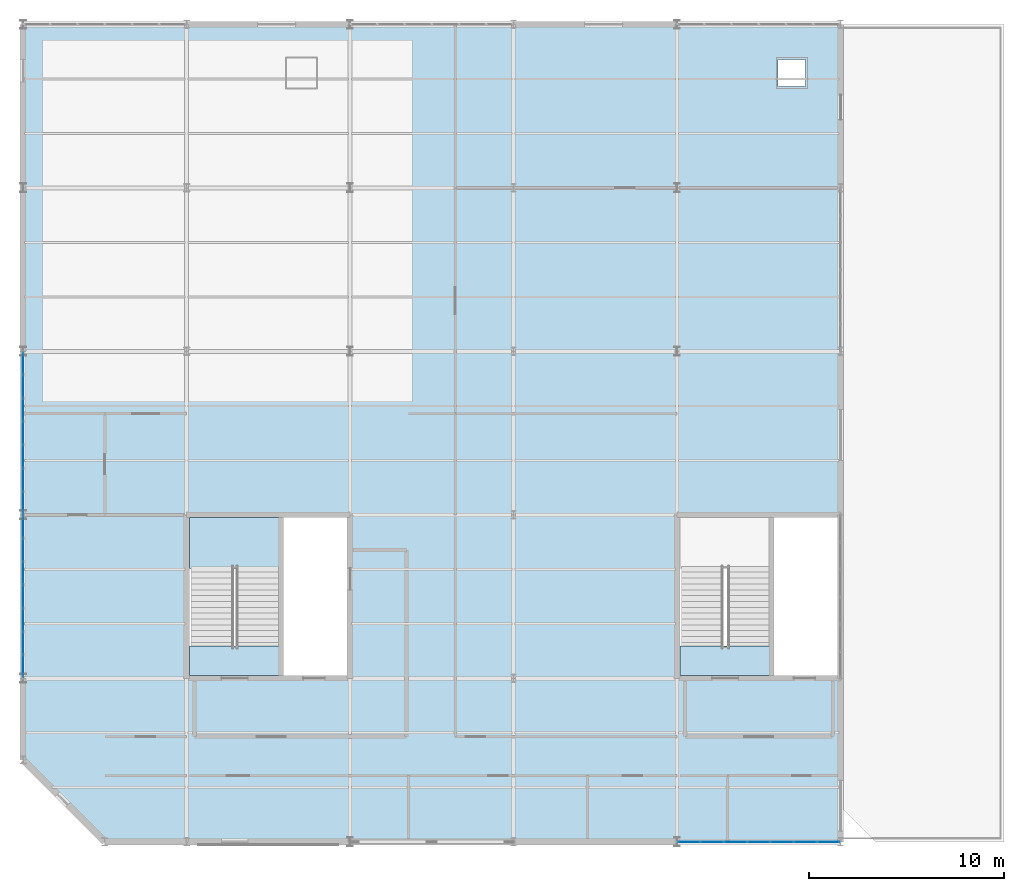
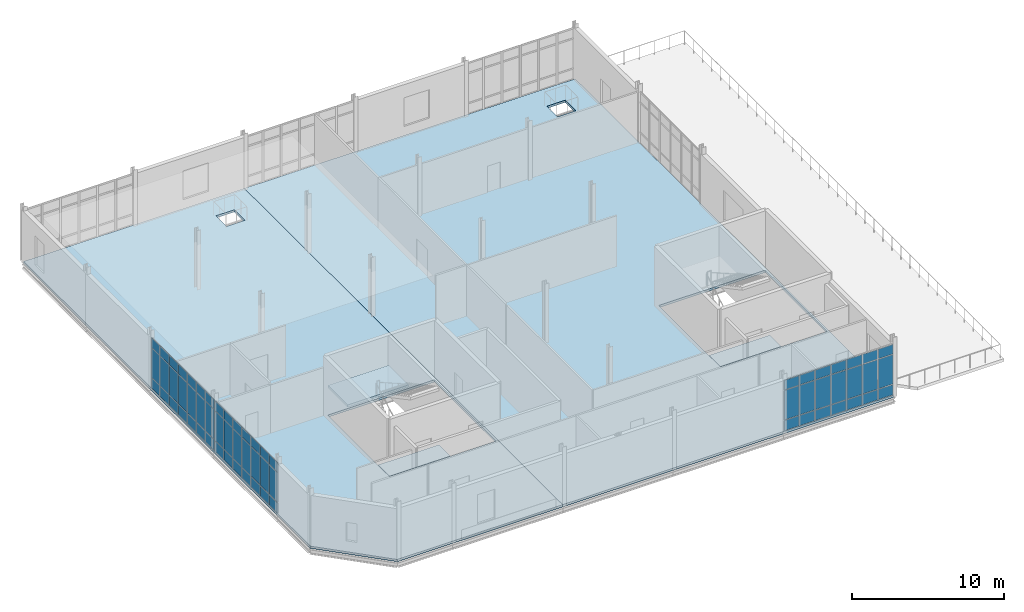
# One storey, part 21 of 28: 63 plates, 5 slabs, 4 elements without a shape of their own.
"""IFC4 building model written with IfcOpenShell, lengths in metres."""

from ifc_helpers import new_model, si_unit, direction, frame, origin, origin_2d, place, context, subcontext, project, spatial, polyline, rectangle, outline, extrude, material, layer, layer_set, type_object, element, aggregate, save


model = new_model("IFC4")

# Units and contexts
model_context = context("Model", 3, precision=1e-05, world=origin(), true_north=direction((0.0, 1.0)))
body_context = subcontext(model_context, "Body", "Model", "MODEL_VIEW")
ifc_project = project(units=[si_unit("LENGTHUNIT", "METRE"), si_unit("AREAUNIT", "SQUARE_METRE"), si_unit("VOLUMEUNIT", "CUBIC_METRE"), si_unit("PLANEANGLEUNIT", "RADIAN"), si_unit("MASSUNIT", "GRAM", prefix="KILO")], contexts=[model_context])

# Site, building, storey
site_placement = place(None, origin())
site = spatial("IfcSite", under=ifc_project, at=site_placement, CompositionType="ELEMENT")
building_placement = place(site_placement, origin())
building = spatial("IfcBuilding", under=site, at=building_placement, Name="Qalvenar Corner Mobility Hub", CompositionType="ELEMENT")
storey_placement = place(building_placement, frame((0.0, 0.0, 21.60009765625)))
storey = spatial("IfcBuildingStorey", under=building, at=storey_placement, Name="L05", CompositionType="ELEMENT", Elevation=21.60009765625)

# Curtain wall, plates
ifc_material_1 = material(Name="Anodised Aluminium and Low-E Glazing", Category="aluminium")
ifc_layer_1 = layer(ifc_material_1, 0.14990234375)
ifc_layer_set_1 = layer_set([ifc_layer_1], Name="Anodised Aluminium and Low-E Glazing")
curtain_wall_type_1 = type_object("IfcCurtainWallType", Name="CW-SPT-84X44", PredefinedType="NOTDEFINED", material=ifc_layer_set_1)
curtain_wall_1_placement = place(storey_placement, origin())
curtain_wall_1 = element("IfcCurtainWall", 1, at=curtain_wall_1_placement, inside=storey, type_object=curtain_wall_type_1, Name="Glazed Curtain Wall CW-V3-L05-S4", PredefinedType="NOTDEFINED")
ifc_material_2 = material(Name="Solar-Control Low-E Double Glazing", Category="glass")
ifc_layer_2 = layer(ifc_material_2, 0.028076171875)
ifc_layer_set_2 = layer_set([ifc_layer_2], Name="Solar-Control Low-E Double Glazing")
plate_type = type_object("IfcPlateType", Name="PLT-CWP-GLZ1", PredefinedType="CURTAIN_PANEL", material=ifc_layer_set_2)
plate_1_placement = place(storey_placement, frame((34.215087890625, 0.0, 0.054931640625), z_axis=(0.0, 0.0, 1.0), x_axis=(1.0, 0.0, 0.0)))
plate_1 = element("IfcPlate", 2, at=plate_1_placement, type_object=plate_type, Name="CW-06 panel 1.1", PredefinedType="CURTAIN_PANEL", context=body_context, shape_type="SweptSolid", body=[
    extrude(rectangle(XDim=1.110107421875, YDim=0.028076171875, at=origin_2d()), origin(), (0.0, 0.0, 1.0), 0.8173828125),
])
plate_2_placement = place(storey_placement, frame((34.215087890625, 0.0, 0.92724609375), z_axis=(0.0, 0.0, 1.0), x_axis=(1.0, 0.0, 0.0)))
plate_2 = element("IfcPlate", 3, at=plate_2_placement, type_object=plate_type, Name="CW-06 panel 1.2", PredefinedType="CURTAIN_PANEL", context=body_context, shape_type="SweptSolid", body=[
    extrude(rectangle(XDim=1.110107421875, YDim=0.028076171875, at=origin_2d()), origin(), (0.0, 0.0, 1.0), 2.364990234375),
])
plate_3_placement = place(storey_placement, frame((34.215087890625, 0.0, 3.347412109375), z_axis=(0.0, 0.0, 1.0), x_axis=(1.0, 0.0, 0.0)))
plate_3 = element("IfcPlate", 4, at=plate_3_placement, type_object=plate_type, Name="CW-06 panel 1.3", PredefinedType="CURTAIN_PANEL", context=body_context, shape_type="SweptSolid", body=[
    extrude(rectangle(XDim=1.110107421875, YDim=0.028076171875, at=origin_2d()), origin(), (0.0, 0.0, 1.0), 0.767578125),
])
plate_4_placement = place(storey_placement, frame((35.39990234375, 0.0, 0.054931640625), z_axis=(0.0, 0.0, 1.0), x_axis=(1.0, 0.0, 0.0)))
plate_4 = element("IfcPlate", 5, at=plate_4_placement, type_object=plate_type, Name="CW-06 panel 2.1", PredefinedType="CURTAIN_PANEL", context=body_context, shape_type="SweptSolid", body=[
    extrude(rectangle(XDim=1.139892578125, YDim=0.028076171875, at=origin_2d()), origin(), (0.0, 0.0, 1.0), 0.8173828125),
])
plate_5_placement = place(storey_placement, frame((35.39990234375, 0.0, 0.92724609375), z_axis=(0.0, 0.0, 1.0), x_axis=(1.0, 0.0, 0.0)))
plate_5 = element("IfcPlate", 6, at=plate_5_placement, type_object=plate_type, Name="CW-06 panel 2.2", PredefinedType="CURTAIN_PANEL", context=body_context, shape_type="SweptSolid", body=[
    extrude(rectangle(XDim=1.139892578125, YDim=0.028076171875, at=origin_2d()), origin(), (0.0, 0.0, 1.0), 2.364990234375),
])
plate_6_placement = place(storey_placement, frame((35.39990234375, 0.0, 3.347412109375), z_axis=(0.0, 0.0, 1.0), x_axis=(1.0, 0.0, 0.0)))
plate_6 = element("IfcPlate", 7, at=plate_6_placement, type_object=plate_type, Name="CW-06 panel 2.3", PredefinedType="CURTAIN_PANEL", context=body_context, shape_type="SweptSolid", body=[
    extrude(rectangle(XDim=1.139892578125, YDim=0.028076171875, at=origin_2d()), origin(), (0.0, 0.0, 1.0), 0.767578125),
])
plate_7_placement = place(storey_placement, frame((36.60009765625, 0.0, 0.054931640625), z_axis=(0.0, 0.0, 1.0), x_axis=(1.0, 0.0, 0.0)))
plate_7 = element("IfcPlate", 8, at=plate_7_placement, type_object=plate_type, Name="CW-06 panel 3.1", PredefinedType="CURTAIN_PANEL", context=body_context, shape_type="SweptSolid", body=[
    extrude(rectangle(XDim=1.139892578125, YDim=0.028076171875, at=origin_2d()), origin(), (0.0, 0.0, 1.0), 0.8173828125),
])
plate_8_placement = place(storey_placement, frame((36.60009765625, 0.0, 0.92724609375), z_axis=(0.0, 0.0, 1.0), x_axis=(1.0, 0.0, 0.0)))
plate_8 = element("IfcPlate", 9, at=plate_8_placement, type_object=plate_type, Name="CW-06 panel 3.2", PredefinedType="CURTAIN_PANEL", context=body_context, shape_type="SweptSolid", body=[
    extrude(rectangle(XDim=1.139892578125, YDim=0.028076171875, at=origin_2d()), origin(), (0.0, 0.0, 1.0), 2.364990234375),
])
plate_9_placement = place(storey_placement, frame((36.60009765625, 0.0, 3.347412109375), z_axis=(0.0, 0.0, 1.0), x_axis=(1.0, 0.0, 0.0)))
plate_9 = element("IfcPlate", 10, at=plate_9_placement, type_object=plate_type, Name="CW-06 panel 3.3", PredefinedType="CURTAIN_PANEL", context=body_context, shape_type="SweptSolid", body=[
    extrude(rectangle(XDim=1.139892578125, YDim=0.028076171875, at=origin_2d()), origin(), (0.0, 0.0, 1.0), 0.767578125),
])
plate_10_placement = place(storey_placement, frame((37.800048828125, 0.0, 0.054931640625), z_axis=(0.0, 0.0, 1.0), x_axis=(1.0, 0.0, 0.0)))
plate_10 = element("IfcPlate", 11, at=plate_10_placement, type_object=plate_type, Name="CW-06 panel 4.1", PredefinedType="CURTAIN_PANEL", context=body_context, shape_type="SweptSolid", body=[
    extrude(rectangle(XDim=1.139892578125, YDim=0.028076171875, at=origin_2d()), origin(), (0.0, 0.0, 1.0), 0.8173828125),
])
plate_11_placement = place(storey_placement, frame((37.800048828125, 0.0, 0.92724609375), z_axis=(0.0, 0.0, 1.0), x_axis=(1.0, 0.0, 0.0)))
plate_11 = element("IfcPlate", 12, at=plate_11_placement, type_object=plate_type, Name="CW-06 panel 4.2", PredefinedType="CURTAIN_PANEL", context=body_context, shape_type="SweptSolid", body=[
    extrude(rectangle(XDim=1.139892578125, YDim=0.028076171875, at=origin_2d()), origin(), (0.0, 0.0, 1.0), 2.364990234375),
])
plate_12_placement = place(storey_placement, frame((37.800048828125, 0.0, 3.347412109375), z_axis=(0.0, 0.0, 1.0), x_axis=(1.0, 0.0, 0.0)))
plate_12 = element("IfcPlate", 13, at=plate_12_placement, type_object=plate_type, Name="CW-06 panel 4.3", PredefinedType="CURTAIN_PANEL", context=body_context, shape_type="SweptSolid", body=[
    extrude(rectangle(XDim=1.139892578125, YDim=0.028076171875, at=origin_2d()), origin(), (0.0, 0.0, 1.0), 0.767578125),
])
plate_13_placement = place(storey_placement, frame((39.0, 0.0, 0.054931640625), z_axis=(0.0, 0.0, 1.0), x_axis=(1.0, 0.0, 0.0)))
plate_13 = element("IfcPlate", 14, at=plate_13_placement, type_object=plate_type, Name="CW-06 panel 5.1", PredefinedType="CURTAIN_PANEL", context=body_context, shape_type="SweptSolid", body=[
    extrude(rectangle(XDim=1.139892578125, YDim=0.028076171875, at=origin_2d()), origin(), (0.0, 0.0, 1.0), 0.8173828125),
])
plate_14_placement = place(storey_placement, frame((39.0, 0.0, 0.92724609375), z_axis=(0.0, 0.0, 1.0), x_axis=(1.0, 0.0, 0.0)))
plate_14 = element("IfcPlate", 15, at=plate_14_placement, type_object=plate_type, Name="CW-06 panel 5.2", PredefinedType="CURTAIN_PANEL", context=body_context, shape_type="SweptSolid", body=[
    extrude(rectangle(XDim=1.139892578125, YDim=0.028076171875, at=origin_2d()), origin(), (0.0, 0.0, 1.0), 2.364990234375),
])
plate_15_placement = place(storey_placement, frame((39.0, 0.0, 3.347412109375), z_axis=(0.0, 0.0, 1.0), x_axis=(1.0, 0.0, 0.0)))
plate_15 = element("IfcPlate", 16, at=plate_15_placement, type_object=plate_type, Name="CW-06 panel 5.3", PredefinedType="CURTAIN_PANEL", context=body_context, shape_type="SweptSolid", body=[
    extrude(rectangle(XDim=1.139892578125, YDim=0.028076171875, at=origin_2d()), origin(), (0.0, 0.0, 1.0), 0.767578125),
])
plate_16_placement = place(storey_placement, frame((40.199951171875, 0.0, 0.054931640625), z_axis=(0.0, 0.0, 1.0), x_axis=(1.0, 0.0, 0.0)))
plate_16 = element("IfcPlate", 17, at=plate_16_placement, type_object=plate_type, Name="CW-06 panel 6.1", PredefinedType="CURTAIN_PANEL", context=body_context, shape_type="SweptSolid", body=[
    extrude(rectangle(XDim=1.139892578125, YDim=0.028076171875, at=origin_2d()), origin(), (0.0, 0.0, 1.0), 0.8173828125),
])
plate_17_placement = place(storey_placement, frame((40.199951171875, 0.0, 0.92724609375), z_axis=(0.0, 0.0, 1.0), x_axis=(1.0, 0.0, 0.0)))
plate_17 = element("IfcPlate", 18, at=plate_17_placement, type_object=plate_type, Name="CW-06 panel 6.2", PredefinedType="CURTAIN_PANEL", context=body_context, shape_type="SweptSolid", body=[
    extrude(rectangle(XDim=1.139892578125, YDim=0.028076171875, at=origin_2d()), origin(), (0.0, 0.0, 1.0), 2.364990234375),
])
plate_18_placement = place(storey_placement, frame((40.199951171875, 0.0, 3.347412109375), z_axis=(0.0, 0.0, 1.0), x_axis=(1.0, 0.0, 0.0)))
plate_18 = element("IfcPlate", 19, at=plate_18_placement, type_object=plate_type, Name="CW-06 panel 6.3", PredefinedType="CURTAIN_PANEL", context=body_context, shape_type="SweptSolid", body=[
    extrude(rectangle(XDim=1.139892578125, YDim=0.028076171875, at=origin_2d()), origin(), (0.0, 0.0, 1.0), 0.767578125),
])
plate_19_placement = place(storey_placement, frame((41.385009765625, 0.0, 0.054931640625), z_axis=(0.0, 0.0, 1.0), x_axis=(1.0, 0.0, 0.0)))
plate_19 = element("IfcPlate", 20, at=plate_19_placement, type_object=plate_type, Name="CW-06 panel 7.1", PredefinedType="CURTAIN_PANEL", context=body_context, shape_type="SweptSolid", body=[
    extrude(rectangle(XDim=1.110107421875, YDim=0.028076171875, at=origin_2d()), origin(), (0.0, 0.0, 1.0), 0.8173828125),
])
plate_20_placement = place(storey_placement, frame((41.385009765625, 0.0, 0.92724609375), z_axis=(0.0, 0.0, 1.0), x_axis=(1.0, 0.0, 0.0)))
plate_20 = element("IfcPlate", 21, at=plate_20_placement, type_object=plate_type, Name="CW-06 panel 7.2", PredefinedType="CURTAIN_PANEL", context=body_context, shape_type="SweptSolid", body=[
    extrude(rectangle(XDim=1.110107421875, YDim=0.028076171875, at=origin_2d()), origin(), (0.0, 0.0, 1.0), 2.364990234375),
])
plate_21_placement = place(storey_placement, frame((41.385009765625, 0.0, 3.347412109375), z_axis=(0.0, 0.0, 1.0), x_axis=(1.0, 0.0, 0.0)))
plate_21 = element("IfcPlate", 22, at=plate_21_placement, type_object=plate_type, Name="CW-06 panel 7.3", PredefinedType="CURTAIN_PANEL", context=body_context, shape_type="SweptSolid", body=[
    extrude(rectangle(XDim=1.110107421875, YDim=0.028076171875, at=origin_2d()), origin(), (0.0, 0.0, 1.0), 0.767578125),
])
aggregate(curtain_wall_1, [plate_1, plate_2, plate_3, plate_4, plate_5, plate_6, plate_7, plate_8, plate_9, plate_10, plate_11, plate_12, plate_13, plate_14, plate_15, plate_16, plate_17, plate_18, plate_19, plate_20, plate_21])

ifc_layer_3 = layer(ifc_material_1, 0.14990234375)
ifc_layer_set_3 = layer_set([ifc_layer_3], Name="Anodised Aluminium and Low-E Glazing")
curtain_wall_type_2 = type_object("IfcCurtainWallType", Name="CW-CIV-84X40", PredefinedType="NOTDEFINED", material=ifc_layer_set_3)
curtain_wall_2_placement = place(storey_placement, origin())
curtain_wall_2 = element("IfcCurtainWall", 23, at=curtain_wall_2_placement, inside=storey, type_object=curtain_wall_type_2, Name="Glazed Curtain Wall CW-V3-L05-W1", PredefinedType="NOTDEFINED")
plate_22_placement = place(storey_placement, frame((0.0, 16.18505859375, 0.054931640625), z_axis=(0.0, 0.0, 1.0), x_axis=(0.0, -1.0, 0.0)))
plate_22 = element("IfcPlate", 24, at=plate_22_placement, type_object=plate_type, Name="CW-05 panel 1.1", PredefinedType="CURTAIN_PANEL", context=body_context, shape_type="SweptSolid", body=[
    extrude(rectangle(XDim=1.110107421875, YDim=0.028076171875, at=origin_2d()), origin(), (0.0, 0.0, 1.0), 0.8173828125),
])
plate_23_placement = place(storey_placement, frame((0.0, 16.18505859375, 0.92724609375), z_axis=(0.0, 0.0, 1.0), x_axis=(0.0, -1.0, 0.0)))
plate_23 = element("IfcPlate", 25, at=plate_23_placement, type_object=plate_type, Name="CW-05 panel 1.2", PredefinedType="CURTAIN_PANEL", context=body_context, shape_type="SweptSolid", body=[
    extrude(rectangle(XDim=1.110107421875, YDim=0.028076171875, at=origin_2d()), origin(), (0.0, 0.0, 1.0), 2.364990234375),
])
plate_24_placement = place(storey_placement, frame((0.0, 16.18505859375, 3.347412109375), z_axis=(0.0, 0.0, 1.0), x_axis=(0.0, -1.0, 0.0)))
plate_24 = element("IfcPlate", 26, at=plate_24_placement, type_object=plate_type, Name="CW-05 panel 1.3", PredefinedType="CURTAIN_PANEL", context=body_context, shape_type="SweptSolid", body=[
    extrude(rectangle(XDim=1.110107421875, YDim=0.028076171875, at=origin_2d()), origin(), (0.0, 0.0, 1.0), 0.767578125),
])
plate_25_placement = place(storey_placement, frame((0.0, 15.0, 0.054931640625), z_axis=(0.0, 0.0, 1.0), x_axis=(0.0, -1.0, 0.0)))
plate_25 = element("IfcPlate", 27, at=plate_25_placement, type_object=plate_type, Name="CW-05 panel 2.1", PredefinedType="CURTAIN_PANEL", context=body_context, shape_type="SweptSolid", body=[
    extrude(rectangle(XDim=1.139892578125, YDim=0.028076171875, at=origin_2d()), origin(), (0.0, 0.0, 1.0), 0.8173828125),
])
plate_26_placement = place(storey_placement, frame((0.0, 15.0, 0.92724609375), z_axis=(0.0, 0.0, 1.0), x_axis=(0.0, -1.0, 0.0)))
plate_26 = element("IfcPlate", 28, at=plate_26_placement, type_object=plate_type, Name="CW-05 panel 2.2", PredefinedType="CURTAIN_PANEL", context=body_context, shape_type="SweptSolid", body=[
    extrude(rectangle(XDim=1.139892578125, YDim=0.028076171875, at=origin_2d()), origin(), (0.0, 0.0, 1.0), 2.364990234375),
])
plate_27_placement = place(storey_placement, frame((0.0, 15.0, 3.347412109375), z_axis=(0.0, 0.0, 1.0), x_axis=(0.0, -1.0, 0.0)))
plate_27 = element("IfcPlate", 29, at=plate_27_placement, type_object=plate_type, Name="CW-05 panel 2.3", PredefinedType="CURTAIN_PANEL", context=body_context, shape_type="SweptSolid", body=[
    extrude(rectangle(XDim=1.139892578125, YDim=0.028076171875, at=origin_2d()), origin(), (0.0, 0.0, 1.0), 0.767578125),
])
plate_28_placement = place(storey_placement, frame((0.0, 13.800048828125, 0.054931640625), z_axis=(0.0, 0.0, 1.0), x_axis=(0.0, -1.0, 0.0)))
plate_28 = element("IfcPlate", 30, at=plate_28_placement, type_object=plate_type, Name="CW-05 panel 3.1", PredefinedType="CURTAIN_PANEL", context=body_context, shape_type="SweptSolid", body=[
    extrude(rectangle(XDim=1.139892578125, YDim=0.028076171875, at=origin_2d()), origin(), (0.0, 0.0, 1.0), 0.8173828125),
])
plate_29_placement = place(storey_placement, frame((0.0, 13.800048828125, 0.92724609375), z_axis=(0.0, 0.0, 1.0), x_axis=(0.0, -1.0, 0.0)))
plate_29 = element("IfcPlate", 31, at=plate_29_placement, type_object=plate_type, Name="CW-05 panel 3.2", PredefinedType="CURTAIN_PANEL", context=body_context, shape_type="SweptSolid", body=[
    extrude(rectangle(XDim=1.139892578125, YDim=0.028076171875, at=origin_2d()), origin(), (0.0, 0.0, 1.0), 2.364990234375),
])
plate_30_placement = place(storey_placement, frame((0.0, 13.800048828125, 3.347412109375), z_axis=(0.0, 0.0, 1.0), x_axis=(0.0, -1.0, 0.0)))
plate_30 = element("IfcPlate", 32, at=plate_30_placement, type_object=plate_type, Name="CW-05 panel 3.3", PredefinedType="CURTAIN_PANEL", context=body_context, shape_type="SweptSolid", body=[
    extrude(rectangle(XDim=1.139892578125, YDim=0.028076171875, at=origin_2d()), origin(), (0.0, 0.0, 1.0), 0.767578125),
])
plate_31_placement = place(storey_placement, frame((0.0, 12.60009765625, 0.054931640625), z_axis=(0.0, 0.0, 1.0), x_axis=(0.0, -1.0, 0.0)))
plate_31 = element("IfcPlate", 33, at=plate_31_placement, type_object=plate_type, Name="CW-05 panel 4.1", PredefinedType="CURTAIN_PANEL", context=body_context, shape_type="SweptSolid", body=[
    extrude(rectangle(XDim=1.139892578125, YDim=0.028076171875, at=origin_2d()), origin(), (0.0, 0.0, 1.0), 0.8173828125),
])
plate_32_placement = place(storey_placement, frame((0.0, 12.60009765625, 0.92724609375), z_axis=(0.0, 0.0, 1.0), x_axis=(0.0, -1.0, 0.0)))
plate_32 = element("IfcPlate", 34, at=plate_32_placement, type_object=plate_type, Name="CW-05 panel 4.2", PredefinedType="CURTAIN_PANEL", context=body_context, shape_type="SweptSolid", body=[
    extrude(rectangle(XDim=1.139892578125, YDim=0.028076171875, at=origin_2d()), origin(), (0.0, 0.0, 1.0), 2.364990234375),
])
plate_33_placement = place(storey_placement, frame((0.0, 12.60009765625, 3.347412109375), z_axis=(0.0, 0.0, 1.0), x_axis=(0.0, -1.0, 0.0)))
plate_33 = element("IfcPlate", 35, at=plate_33_placement, type_object=plate_type, Name="CW-05 panel 4.3", PredefinedType="CURTAIN_PANEL", context=body_context, shape_type="SweptSolid", body=[
    extrude(rectangle(XDim=1.139892578125, YDim=0.028076171875, at=origin_2d()), origin(), (0.0, 0.0, 1.0), 0.767578125),
])
plate_34_placement = place(storey_placement, frame((0.0, 11.39990234375, 0.054931640625), z_axis=(0.0, 0.0, 1.0), x_axis=(0.0, -1.0, 0.0)))
plate_34 = element("IfcPlate", 36, at=plate_34_placement, type_object=plate_type, Name="CW-05 panel 5.1", PredefinedType="CURTAIN_PANEL", context=body_context, shape_type="SweptSolid", body=[
    extrude(rectangle(XDim=1.139892578125, YDim=0.028076171875, at=origin_2d()), origin(), (0.0, 0.0, 1.0), 0.8173828125),
])
plate_35_placement = place(storey_placement, frame((0.0, 11.39990234375, 0.92724609375), z_axis=(0.0, 0.0, 1.0), x_axis=(0.0, -1.0, 0.0)))
plate_35 = element("IfcPlate", 37, at=plate_35_placement, type_object=plate_type, Name="CW-05 panel 5.2", PredefinedType="CURTAIN_PANEL", context=body_context, shape_type="SweptSolid", body=[
    extrude(rectangle(XDim=1.139892578125, YDim=0.028076171875, at=origin_2d()), origin(), (0.0, 0.0, 1.0), 2.364990234375),
])
plate_36_placement = place(storey_placement, frame((0.0, 11.39990234375, 3.347412109375), z_axis=(0.0, 0.0, 1.0), x_axis=(0.0, -1.0, 0.0)))
plate_36 = element("IfcPlate", 38, at=plate_36_placement, type_object=plate_type, Name="CW-05 panel 5.3", PredefinedType="CURTAIN_PANEL", context=body_context, shape_type="SweptSolid", body=[
    extrude(rectangle(XDim=1.139892578125, YDim=0.028076171875, at=origin_2d()), origin(), (0.0, 0.0, 1.0), 0.767578125),
])
plate_37_placement = place(storey_placement, frame((0.0, 10.199951171875, 0.054931640625), z_axis=(0.0, 0.0, 1.0), x_axis=(0.0, -1.0, 0.0)))
plate_37 = element("IfcPlate", 39, at=plate_37_placement, type_object=plate_type, Name="CW-05 panel 6.1", PredefinedType="CURTAIN_PANEL", context=body_context, shape_type="SweptSolid", body=[
    extrude(rectangle(XDim=1.139892578125, YDim=0.028076171875, at=origin_2d()), origin(), (0.0, 0.0, 1.0), 0.8173828125),
])
plate_38_placement = place(storey_placement, frame((0.0, 10.199951171875, 0.92724609375), z_axis=(0.0, 0.0, 1.0), x_axis=(0.0, -1.0, 0.0)))
plate_38 = element("IfcPlate", 40, at=plate_38_placement, type_object=plate_type, Name="CW-05 panel 6.2", PredefinedType="CURTAIN_PANEL", context=body_context, shape_type="SweptSolid", body=[
    extrude(rectangle(XDim=1.139892578125, YDim=0.028076171875, at=origin_2d()), origin(), (0.0, 0.0, 1.0), 2.364990234375),
])
plate_39_placement = place(storey_placement, frame((0.0, 10.199951171875, 3.347412109375), z_axis=(0.0, 0.0, 1.0), x_axis=(0.0, -1.0, 0.0)))
plate_39 = element("IfcPlate", 41, at=plate_39_placement, type_object=plate_type, Name="CW-05 panel 6.3", PredefinedType="CURTAIN_PANEL", context=body_context, shape_type="SweptSolid", body=[
    extrude(rectangle(XDim=1.139892578125, YDim=0.028076171875, at=origin_2d()), origin(), (0.0, 0.0, 1.0), 0.767578125),
])
plate_40_placement = place(storey_placement, frame((0.0, 9.014892578125, 0.054931640625), z_axis=(0.0, 0.0, 1.0), x_axis=(0.0, -1.0, 0.0)))
plate_40 = element("IfcPlate", 42, at=plate_40_placement, type_object=plate_type, Name="CW-05 panel 7.1", PredefinedType="CURTAIN_PANEL", context=body_context, shape_type="SweptSolid", body=[
    extrude(rectangle(XDim=1.110107421875, YDim=0.028076171875, at=origin_2d()), origin(), (0.0, 0.0, 1.0), 0.8173828125),
])
plate_41_placement = place(storey_placement, frame((0.0, 9.014892578125, 0.92724609375), z_axis=(0.0, 0.0, 1.0), x_axis=(0.0, -1.0, 0.0)))
plate_41 = element("IfcPlate", 43, at=plate_41_placement, type_object=plate_type, Name="CW-05 panel 7.2", PredefinedType="CURTAIN_PANEL", context=body_context, shape_type="SweptSolid", body=[
    extrude(rectangle(XDim=1.110107421875, YDim=0.028076171875, at=origin_2d()), origin(), (0.0, 0.0, 1.0), 2.364990234375),
])
plate_42_placement = place(storey_placement, frame((0.0, 9.014892578125, 3.347412109375), z_axis=(0.0, 0.0, 1.0), x_axis=(0.0, -1.0, 0.0)))
plate_42 = element("IfcPlate", 44, at=plate_42_placement, type_object=plate_type, Name="CW-05 panel 7.3", PredefinedType="CURTAIN_PANEL", context=body_context, shape_type="SweptSolid", body=[
    extrude(rectangle(XDim=1.110107421875, YDim=0.028076171875, at=origin_2d()), origin(), (0.0, 0.0, 1.0), 0.767578125),
])
aggregate(curtain_wall_2, [plate_22, plate_23, plate_24, plate_25, plate_26, plate_27, plate_28, plate_29, plate_30, plate_31, plate_32, plate_33, plate_34, plate_35, plate_36, plate_37, plate_38, plate_39, plate_40, plate_41, plate_42])

curtain_wall_3_placement = place(storey_placement, origin())
curtain_wall_3 = element("IfcCurtainWall", 45, at=curtain_wall_3_placement, inside=storey, type_object=curtain_wall_type_2, Name="Glazed Curtain Wall CW-V3-L05-W2", PredefinedType="NOTDEFINED")
plate_43_placement = place(storey_placement, frame((0.0, 24.5849609375, 0.054931640625), z_axis=(0.0, 0.0, 1.0), x_axis=(0.0, -1.0, 0.0)))
plate_43 = element("IfcPlate", 46, at=plate_43_placement, type_object=plate_type, Name="CW-05 panel 1.1", PredefinedType="CURTAIN_PANEL", context=body_context, shape_type="SweptSolid", body=[
    extrude(rectangle(XDim=1.110107421875, YDim=0.028076171875, at=origin_2d()), origin(), (0.0, 0.0, 1.0), 0.8173828125),
])
plate_44_placement = place(storey_placement, frame((0.0, 24.5849609375, 0.92724609375), z_axis=(0.0, 0.0, 1.0), x_axis=(0.0, -1.0, 0.0)))
plate_44 = element("IfcPlate", 47, at=plate_44_placement, type_object=plate_type, Name="CW-05 panel 1.2", PredefinedType="CURTAIN_PANEL", context=body_context, shape_type="SweptSolid", body=[
    extrude(rectangle(XDim=1.110107421875, YDim=0.028076171875, at=origin_2d()), origin(), (0.0, 0.0, 1.0), 2.364990234375),
])
plate_45_placement = place(storey_placement, frame((0.0, 24.5849609375, 3.347412109375), z_axis=(0.0, 0.0, 1.0), x_axis=(0.0, -1.0, 0.0)))
plate_45 = element("IfcPlate", 48, at=plate_45_placement, type_object=plate_type, Name="CW-05 panel 1.3", PredefinedType="CURTAIN_PANEL", context=body_context, shape_type="SweptSolid", body=[
    extrude(rectangle(XDim=1.110107421875, YDim=0.028076171875, at=origin_2d()), origin(), (0.0, 0.0, 1.0), 0.767578125),
])
plate_46_placement = place(storey_placement, frame((0.0, 23.39990234375, 0.054931640625), z_axis=(0.0, 0.0, 1.0), x_axis=(0.0, -1.0, 0.0)))
plate_46 = element("IfcPlate", 49, at=plate_46_placement, type_object=plate_type, Name="CW-05 panel 2.1", PredefinedType="CURTAIN_PANEL", context=body_context, shape_type="SweptSolid", body=[
    extrude(rectangle(XDim=1.139892578125, YDim=0.028076171875, at=origin_2d()), origin(), (0.0, 0.0, 1.0), 0.8173828125),
])
plate_47_placement = place(storey_placement, frame((0.0, 23.39990234375, 0.92724609375), z_axis=(0.0, 0.0, 1.0), x_axis=(0.0, -1.0, 0.0)))
plate_47 = element("IfcPlate", 50, at=plate_47_placement, type_object=plate_type, Name="CW-05 panel 2.2", PredefinedType="CURTAIN_PANEL", context=body_context, shape_type="SweptSolid", body=[
    extrude(rectangle(XDim=1.139892578125, YDim=0.028076171875, at=origin_2d()), origin(), (0.0, 0.0, 1.0), 2.364990234375),
])
plate_48_placement = place(storey_placement, frame((0.0, 23.39990234375, 3.347412109375), z_axis=(0.0, 0.0, 1.0), x_axis=(0.0, -1.0, 0.0)))
plate_48 = element("IfcPlate", 51, at=plate_48_placement, type_object=plate_type, Name="CW-05 panel 2.3", PredefinedType="CURTAIN_PANEL", context=body_context, shape_type="SweptSolid", body=[
    extrude(rectangle(XDim=1.139892578125, YDim=0.028076171875, at=origin_2d()), origin(), (0.0, 0.0, 1.0), 0.767578125),
])
plate_49_placement = place(storey_placement, frame((0.0, 22.199951171875, 0.054931640625), z_axis=(0.0, 0.0, 1.0), x_axis=(0.0, -1.0, 0.0)))
plate_49 = element("IfcPlate", 52, at=plate_49_placement, type_object=plate_type, Name="CW-05 panel 3.1", PredefinedType="CURTAIN_PANEL", context=body_context, shape_type="SweptSolid", body=[
    extrude(rectangle(XDim=1.139892578125, YDim=0.028076171875, at=origin_2d()), origin(), (0.0, 0.0, 1.0), 0.8173828125),
])
plate_50_placement = place(storey_placement, frame((0.0, 22.199951171875, 0.92724609375), z_axis=(0.0, 0.0, 1.0), x_axis=(0.0, -1.0, 0.0)))
plate_50 = element("IfcPlate", 53, at=plate_50_placement, type_object=plate_type, Name="CW-05 panel 3.2", PredefinedType="CURTAIN_PANEL", context=body_context, shape_type="SweptSolid", body=[
    extrude(rectangle(XDim=1.139892578125, YDim=0.028076171875, at=origin_2d()), origin(), (0.0, 0.0, 1.0), 2.364990234375),
])
plate_51_placement = place(storey_placement, frame((0.0, 22.199951171875, 3.347412109375), z_axis=(0.0, 0.0, 1.0), x_axis=(0.0, -1.0, 0.0)))
plate_51 = element("IfcPlate", 54, at=plate_51_placement, type_object=plate_type, Name="CW-05 panel 3.3", PredefinedType="CURTAIN_PANEL", context=body_context, shape_type="SweptSolid", body=[
    extrude(rectangle(XDim=1.139892578125, YDim=0.028076171875, at=origin_2d()), origin(), (0.0, 0.0, 1.0), 0.767578125),
])
plate_52_placement = place(storey_placement, frame((0.0, 21.0, 0.054931640625), z_axis=(0.0, 0.0, 1.0), x_axis=(0.0, -1.0, 0.0)))
plate_52 = element("IfcPlate", 55, at=plate_52_placement, type_object=plate_type, Name="CW-05 panel 4.1", PredefinedType="CURTAIN_PANEL", context=body_context, shape_type="SweptSolid", body=[
    extrude(rectangle(XDim=1.139892578125, YDim=0.028076171875, at=origin_2d()), origin(), (0.0, 0.0, 1.0), 0.8173828125),
])
plate_53_placement = place(storey_placement, frame((0.0, 21.0, 0.92724609375), z_axis=(0.0, 0.0, 1.0), x_axis=(0.0, -1.0, 0.0)))
plate_53 = element("IfcPlate", 56, at=plate_53_placement, type_object=plate_type, Name="CW-05 panel 4.2", PredefinedType="CURTAIN_PANEL", context=body_context, shape_type="SweptSolid", body=[
    extrude(rectangle(XDim=1.139892578125, YDim=0.028076171875, at=origin_2d()), origin(), (0.0, 0.0, 1.0), 2.364990234375),
])
plate_54_placement = place(storey_placement, frame((0.0, 21.0, 3.347412109375), z_axis=(0.0, 0.0, 1.0), x_axis=(0.0, -1.0, 0.0)))
plate_54 = element("IfcPlate", 57, at=plate_54_placement, type_object=plate_type, Name="CW-05 panel 4.3", PredefinedType="CURTAIN_PANEL", context=body_context, shape_type="SweptSolid", body=[
    extrude(rectangle(XDim=1.139892578125, YDim=0.028076171875, at=origin_2d()), origin(), (0.0, 0.0, 1.0), 0.767578125),
])
plate_55_placement = place(storey_placement, frame((0.0, 19.800048828125, 0.054931640625), z_axis=(0.0, 0.0, 1.0), x_axis=(0.0, -1.0, 0.0)))
plate_55 = element("IfcPlate", 58, at=plate_55_placement, type_object=plate_type, Name="CW-05 panel 5.1", PredefinedType="CURTAIN_PANEL", context=body_context, shape_type="SweptSolid", body=[
    extrude(rectangle(XDim=1.139892578125, YDim=0.028076171875, at=origin_2d()), origin(), (0.0, 0.0, 1.0), 0.8173828125),
])
plate_56_placement = place(storey_placement, frame((0.0, 19.800048828125, 0.92724609375), z_axis=(0.0, 0.0, 1.0), x_axis=(0.0, -1.0, 0.0)))
plate_56 = element("IfcPlate", 59, at=plate_56_placement, type_object=plate_type, Name="CW-05 panel 5.2", PredefinedType="CURTAIN_PANEL", context=body_context, shape_type="SweptSolid", body=[
    extrude(rectangle(XDim=1.139892578125, YDim=0.028076171875, at=origin_2d()), origin(), (0.0, 0.0, 1.0), 2.364990234375),
])
plate_57_placement = place(storey_placement, frame((0.0, 19.800048828125, 3.347412109375), z_axis=(0.0, 0.0, 1.0), x_axis=(0.0, -1.0, 0.0)))
plate_57 = element("IfcPlate", 60, at=plate_57_placement, type_object=plate_type, Name="CW-05 panel 5.3", PredefinedType="CURTAIN_PANEL", context=body_context, shape_type="SweptSolid", body=[
    extrude(rectangle(XDim=1.139892578125, YDim=0.028076171875, at=origin_2d()), origin(), (0.0, 0.0, 1.0), 0.767578125),
])
plate_58_placement = place(storey_placement, frame((0.0, 18.60009765625, 0.054931640625), z_axis=(0.0, 0.0, 1.0), x_axis=(0.0, -1.0, 0.0)))
plate_58 = element("IfcPlate", 61, at=plate_58_placement, type_object=plate_type, Name="CW-05 panel 6.1", PredefinedType="CURTAIN_PANEL", context=body_context, shape_type="SweptSolid", body=[
    extrude(rectangle(XDim=1.139892578125, YDim=0.028076171875, at=origin_2d()), origin(), (0.0, 0.0, 1.0), 0.8173828125),
])
plate_59_placement = place(storey_placement, frame((0.0, 18.60009765625, 0.92724609375), z_axis=(0.0, 0.0, 1.0), x_axis=(0.0, -1.0, 0.0)))
plate_59 = element("IfcPlate", 62, at=plate_59_placement, type_object=plate_type, Name="CW-05 panel 6.2", PredefinedType="CURTAIN_PANEL", context=body_context, shape_type="SweptSolid", body=[
    extrude(rectangle(XDim=1.139892578125, YDim=0.028076171875, at=origin_2d()), origin(), (0.0, 0.0, 1.0), 2.364990234375),
])
plate_60_placement = place(storey_placement, frame((0.0, 18.60009765625, 3.347412109375), z_axis=(0.0, 0.0, 1.0), x_axis=(0.0, -1.0, 0.0)))
plate_60 = element("IfcPlate", 63, at=plate_60_placement, type_object=plate_type, Name="CW-05 panel 6.3", PredefinedType="CURTAIN_PANEL", context=body_context, shape_type="SweptSolid", body=[
    extrude(rectangle(XDim=1.139892578125, YDim=0.028076171875, at=origin_2d()), origin(), (0.0, 0.0, 1.0), 0.767578125),
])
plate_61_placement = place(storey_placement, frame((0.0, 17.4150390625, 0.054931640625), z_axis=(0.0, 0.0, 1.0), x_axis=(0.0, -1.0, 0.0)))
plate_61 = element("IfcPlate", 64, at=plate_61_placement, type_object=plate_type, Name="CW-05 panel 7.1", PredefinedType="CURTAIN_PANEL", context=body_context, shape_type="SweptSolid", body=[
    extrude(rectangle(XDim=1.110107421875, YDim=0.028076171875, at=origin_2d()), origin(), (0.0, 0.0, 1.0), 0.8173828125),
])
plate_62_placement = place(storey_placement, frame((0.0, 17.4150390625, 0.92724609375), z_axis=(0.0, 0.0, 1.0), x_axis=(0.0, -1.0, 0.0)))
plate_62 = element("IfcPlate", 65, at=plate_62_placement, type_object=plate_type, Name="CW-05 panel 7.2", PredefinedType="CURTAIN_PANEL", context=body_context, shape_type="SweptSolid", body=[
    extrude(rectangle(XDim=1.110107421875, YDim=0.028076171875, at=origin_2d()), origin(), (0.0, 0.0, 1.0), 2.364990234375),
])
plate_63_placement = place(storey_placement, frame((0.0, 17.4150390625, 3.347412109375), z_axis=(0.0, 0.0, 1.0), x_axis=(0.0, -1.0, 0.0)))
plate_63 = element("IfcPlate", 66, at=plate_63_placement, type_object=plate_type, Name="CW-05 panel 7.3", PredefinedType="CURTAIN_PANEL", context=body_context, shape_type="SweptSolid", body=[
    extrude(rectangle(XDim=1.110107421875, YDim=0.028076171875, at=origin_2d()), origin(), (0.0, 0.0, 1.0), 0.767578125),
])
aggregate(curtain_wall_3, [plate_43, plate_44, plate_45, plate_46, plate_47, plate_48, plate_49, plate_50, plate_51, plate_52, plate_53, plate_54, plate_55, plate_56, plate_57, plate_58, plate_59, plate_60, plate_61, plate_62, plate_63])

# Slabs
ifc_material_3 = material(Name="Concrete C35/45", Category="concrete")
ifc_layer_4 = layer(ifc_material_3, 0.179931640625)
ifc_layer_set_4 = layer_set([ifc_layer_4], Name="Concrete C35/45")
slab_type_1 = type_object("IfcSlabType", Name="SLB-COMP180", PredefinedType="FLOOR", material=ifc_layer_set_4)
slab_1_placement = place(storey_placement, frame((0.0, 0.0, -0.18017578125)))
element("IfcSlab", 67, at=slab_1_placement, inside=storey, type_object=slab_type_1, Name="Composite Slab V3-A-L05", PredefinedType="FLOOR", context=body_context, shape_type="SweptSolid", body=[
    extrude(outline(polyline([(4.199951171875, 0.0), (16.800048828125, 0.0), (16.800048828125, 42.0), (0.0, 42.0), (0.0, 4.199951171875), (4.199951171875, 0.0)]), holes=[polyline([(8.530029296875, 8.530029296875), (16.669921875, 8.530029296875), (16.669921875, 16.669921875), (8.530029296875, 16.669921875), (8.530029296875, 8.530029296875)]), polyline([(13.60009765625, 38.800048828125), (15.0, 38.800048828125), (15.0, 40.199951171875), (13.60009765625, 40.199951171875), (13.60009765625, 38.800048828125)])]), origin(), (0.0, 0.0, 1.0), 0.18017578125),
])
slab_2_placement = place(storey_placement, frame((0.0, 0.0, -0.18017578125)))
element("IfcSlab", 68, at=slab_2_placement, inside=storey, type_object=slab_type_1, Name="Composite Slab V3-B-L05", PredefinedType="FLOOR", context=body_context, shape_type="SweptSolid", body=[
    extrude(outline(polyline([(16.800048828125, 0.0), (42.0, 0.0), (42.0, 42.0), (16.800048828125, 42.0), (16.800048828125, 0.0)]), holes=[polyline([(33.72998046875, 8.530029296875), (41.8701171875, 8.530029296875), (41.8701171875, 16.669921875), (33.72998046875, 16.669921875), (33.72998046875, 8.530029296875)]), polyline([(38.800048828125, 38.800048828125), (40.199951171875, 38.800048828125), (40.199951171875, 40.199951171875), (38.800048828125, 40.199951171875), (38.800048828125, 38.800048828125)])]), origin(), (0.0, 0.0, 1.0), 0.18017578125),
])

# Stair, slab
stair_type = type_object("IfcStairType", Name="STR-220-H48", PredefinedType="TWO_QUARTER_TURN_STAIR", material=ifc_material_3)
stair_placement = place(storey_placement, origin())
stair = element("IfcStair", 69, at=stair_placement, inside=storey, type_object=stair_type, Name="Exit Stair ST1 L05-L06", PredefinedType="TWO_QUARTER_TURN_STAIR")
ifc_layer_5 = layer(ifc_material_3, 0.179931640625)
ifc_layer_set_5 = layer_set([ifc_layer_5], Name="Concrete C35/45")
slab_type_2 = type_object("IfcSlabType", Name="SLB-LND180", PredefinedType="LANDING", material=ifc_layer_set_5)
slab_3_placement = place(storey_placement, frame((0.0, 0.0, 2.219970703125)))
slab_3 = element("IfcSlab", 70, at=slab_3_placement, type_object=slab_type_2, Name="ST1 landing 1", PredefinedType="LANDING", context=body_context, shape_type="SweptSolid", body=[
    extrude(outline(polyline([(8.5400390625, 14.050048828125), (13.179931640625, 14.050048828125), (13.179931640625, 16.659912109375), (8.5400390625, 16.659912109375), (8.5400390625, 14.050048828125)])), origin(), (0.0, 0.0, 1.0), 0.179931640625),
])
aggregate(stair, [slab_3])

# Slabs
ifc_layer_6 = layer(ifc_material_3, 0.175048828125)
ifc_layer_set_6 = layer_set([ifc_layer_6], Name="Concrete C35/45")
slab_type_3 = type_object("IfcSlabType", Name="SLB-LND200", PredefinedType="LANDING", material=ifc_layer_set_6)
slab_4_placement = place(storey_placement, frame((0.0, 0.0, -0.175048828125)))
element("IfcSlab", 71, at=slab_4_placement, inside=storey, type_object=slab_type_3, Name="Core Stair Arrival Landing C1-L05", PredefinedType="LANDING", context=body_context, shape_type="SweptSolid", body=[
    extrude(outline(polyline([(8.550048828125, 8.550048828125), (13.169921875, 8.550048828125), (13.169921875, 10.050048828125), (8.550048828125, 10.050048828125), (8.550048828125, 8.550048828125)])), origin(), (0.0, 0.0, 1.0), 0.175048828125),
])
slab_5_placement = place(storey_placement, frame((0.0, 0.0, -0.175048828125)))
element("IfcSlab", 72, at=slab_5_placement, inside=storey, type_object=slab_type_3, Name="Core Stair Arrival Landing C2-L05", PredefinedType="LANDING", context=body_context, shape_type="SweptSolid", body=[
    extrude(outline(polyline([(33.75, 8.550048828125), (38.3701171875, 8.550048828125), (38.3701171875, 10.050048828125), (33.75, 10.050048828125), (33.75, 8.550048828125)])), origin(), (0.0, 0.0, 1.0), 0.175048828125),
])

save(model, "model.ifc")
